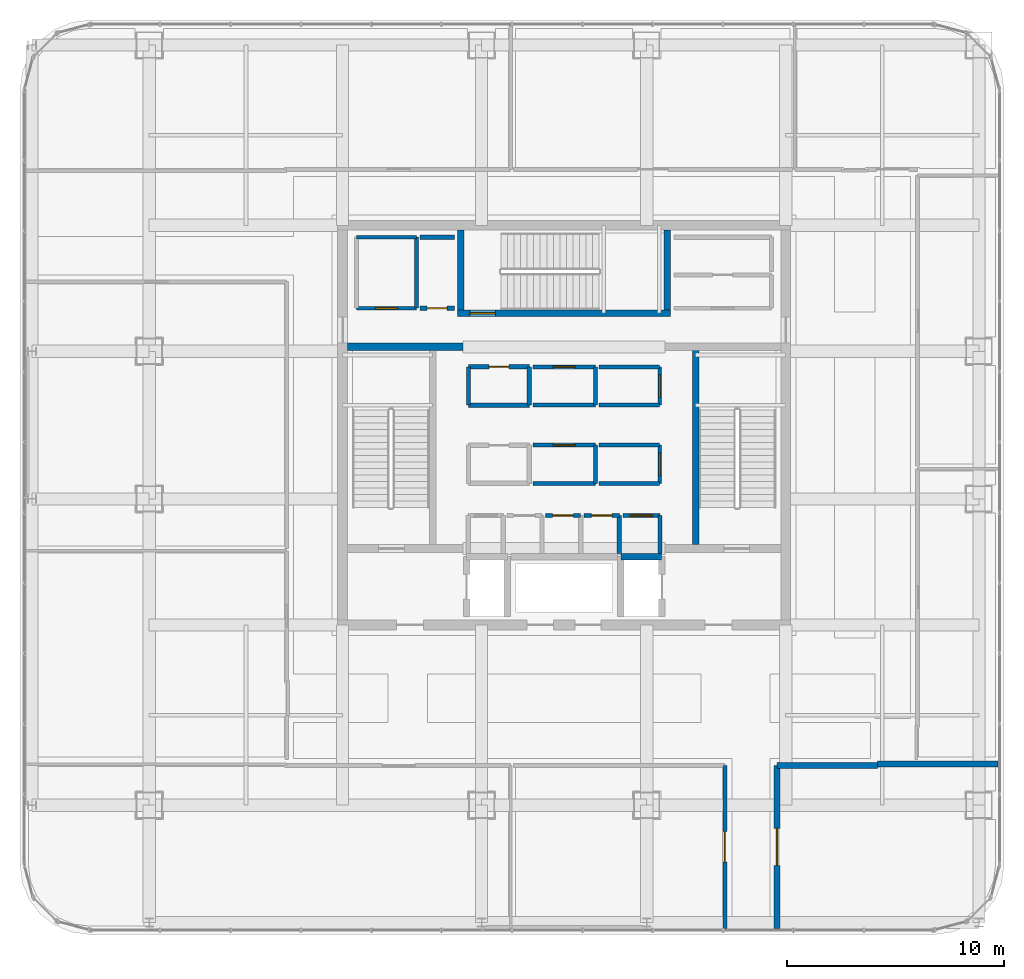
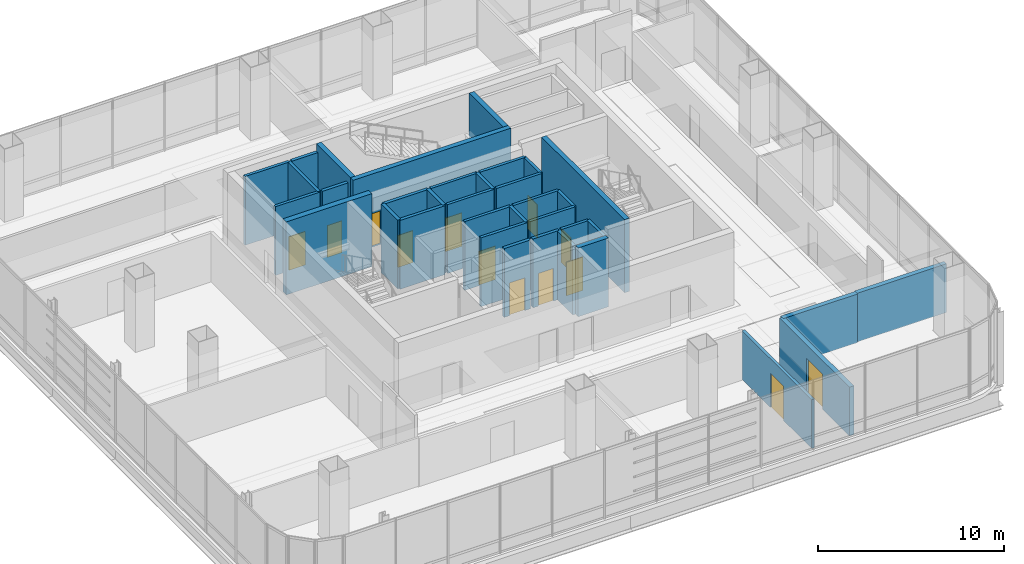
# One storey, part 37 of 45: 36 walls, 13 doors, 13 openings.
"""IFC4 building model written with IfcOpenShell, lengths in metres."""

import ifcopenshell
import ifcopenshell.guid

model = None  # the IFC model being written
_history = None  # IfcOwnerHistory: only IFC2X3 demands one
_inside = {}  # id of a spatial element -> (the spatial element, [elements in it])
_under = {}  # id of a project, library or spatial element -> (it, [spatial elements below it])
_declared = {}  # id of a project -> (the project, [libraries it declares])
_typed = {}  # id of a type object -> (the type object, [elements of that type])
_made_of = {}  # id of a material, layer set ... -> (it, [elements and type objects made of it])


def new_model(schema):
    """Start an empty IFC model of exactly this schema.

    Asked for "IFC4X3", IfcOpenShell would pick the latest addendum, in which some entities
    have other attributes; the version numbers below select the first issue.
    IFC2X3 requires an IfcOwnerHistory on every rooted entity: one is made here for all.
    """
    global model, _history
    if schema == "IFC4X3":
        model = ifcopenshell.file(schema_version=(4, 3, 0, 0))
    else:
        model = ifcopenshell.file(schema=schema)
    _inside.clear()
    _under.clear()
    _declared.clear()
    _typed.clear()
    _made_of.clear()
    _history = None
    if model.schema == "IFC2X3":
        org = make("IfcOrganization", Name="unknown")
        user = make(
            "IfcPersonAndOrganization",
            ThePerson=make("IfcPerson", FamilyName="unknown"),
            TheOrganization=org,
        )
        app = make(
            "IfcApplication",
            ApplicationDeveloper=org,
            Version="unknown",
            ApplicationFullName="unknown",
            ApplicationIdentifier="unknown",
        )
        _history = make(
            "IfcOwnerHistory",
            OwningUser=user,
            OwningApplication=app,
            ChangeAction="ADDED",
            CreationDate=0,
        )
    return model


def make(cls, **values):
    """One entity of the class cls with the attributes given. An attribute that is None is left unset."""
    return model.create_entity(
        cls, **{name: value for name, value in values.items() if value is not None}
    )


def rooted(cls, **values):
    """An entity with a GlobalId (a new one), such as an element, a storey or a relation."""
    return make(cls, GlobalId=ifcopenshell.guid.new(), OwnerHistory=_history, **values)


def si_unit(unit_type, name, prefix=None):
    """IfcSIUnit, for example si_unit("LENGTHUNIT", "METRE", prefix="MILLI")."""
    return make("IfcSIUnit", UnitType=unit_type, Prefix=prefix, Name=name)


def assignment(units):
    """IfcUnitAssignment: the units of a project."""
    return None if units is None else make("IfcUnitAssignment", Units=units)


def point(xyz):
    """IfcCartesianPoint."""
    return None if xyz is None else make("IfcCartesianPoint", Coordinates=xyz)


def direction(xyz):
    """IfcDirection."""
    return None if xyz is None else make("IfcDirection", DirectionRatios=xyz)


def frame(location, z_axis=None, x_axis=None):
    """IfcAxis2Placement3D, a coordinate frame: its origin and axes. An axis left out is left unset."""
    return make(
        "IfcAxis2Placement3D",
        Location=point(location),
        Axis=direction(z_axis),
        RefDirection=direction(x_axis),
    )


def frame_2d(location, x_axis=None):
    """IfcAxis2Placement2D, a coordinate frame in the plane: its origin and x axis."""
    return make(
        "IfcAxis2Placement2D", Location=point(location), RefDirection=direction(x_axis)
    )


def origin():
    """The frame at (0, 0, 0) with its axes left unset."""
    return frame((0.0, 0.0, 0.0))


def place(relative_to, where):
    """IfcLocalPlacement: puts the frame where relative to a parent placement (None: the world)."""
    return make(
        "IfcLocalPlacement", PlacementRelTo=relative_to, RelativePlacement=where
    )


def context(
    kind, dimensions, precision=None, world=None, true_north=None, identifier=None
):
    """IfcGeometricRepresentationContext, for example the 3D "Model" context."""
    return make(
        "IfcGeometricRepresentationContext",
        ContextIdentifier=identifier,
        ContextType=kind,
        CoordinateSpaceDimension=dimensions,
        Precision=precision,
        WorldCoordinateSystem=world,
        TrueNorth=true_north,
    )


def subcontext(parent, identifier, kind, view, scale=None):
    """IfcGeometricRepresentationSubContext, for example "Body" below "Model"."""
    return make(
        "IfcGeometricRepresentationSubContext",
        ContextIdentifier=identifier,
        ContextType=kind,
        ParentContext=parent,
        TargetScale=scale,
        TargetView=view,
    )


def project(units=None, contexts=None):
    """IfcProject with its units and contexts."""
    return rooted(
        "IfcProject",
        Name="project",
        RepresentationContexts=contexts,
        UnitsInContext=assignment(units),
    )


def spatial(cls, under=None, at=None, **own):
    """A site, building, storey or space (cls), placed at a placement, below another one or the project."""
    s = rooted(cls, ObjectPlacement=at, **own)
    if under is not None:
        _under.setdefault(under.id(), (under, []))[1].append(s)
    return s


def profile(cls, at=None, kind="AREA", **sizes):
    """A parametric profile (cls). Its sizes go by their IFC names, for example OverallWidth=200.0."""
    return make(cls, ProfileType=kind, Position=at, **sizes)


def rectangle(**sizes):
    """IfcRectangleProfileDef."""
    return profile("IfcRectangleProfileDef", **sizes)


def extrude(swept, where, along, depth):
    """IfcExtrudedAreaSolid: the profile swept, set in the frame where, extruded along a direction by depth."""
    return make(
        "IfcExtrudedAreaSolid",
        SweptArea=swept,
        Position=where,
        ExtrudedDirection=direction(along),
        Depth=depth,
    )


def shape(context_of_items, identifier, shape_type, items):
    """IfcShapeRepresentation: the items that make up one representation, for example the "Body"."""
    return make(
        "IfcShapeRepresentation",
        ContextOfItems=context_of_items,
        RepresentationIdentifier=identifier,
        RepresentationType=shape_type,
        Items=items,
    )


def material(Name=None, Category=None):
    """IfcMaterial."""
    return make("IfcMaterial", Name=Name, Category=Category)


def layer(
    of_material, thickness, ventilated=None, Name=None, Category=None, Priority=None
):
    """IfcMaterialLayer: one layer of a wall or slab, of a material (None: an air gap)."""
    return make(
        "IfcMaterialLayer",
        Material=of_material,
        LayerThickness=thickness,
        IsVentilated=ventilated,
        Name=Name,
        Category=Category,
        Priority=Priority,
    )


def layer_set(layers, Name=None):
    """IfcMaterialLayerSet."""
    return make("IfcMaterialLayerSet", MaterialLayers=layers, LayerSetName=Name)


def made_of(thing, what):
    """Note that an element or type object is made of a material, layer set ...; save() writes the relation."""
    if what is not None:
        _made_of.setdefault(what.id(), (what, []))[1].append(thing)
    return thing


def type_object(cls, material=None, **own):
    """A type object (cls), such as IfcWallType, which elements share."""
    return made_of(rooted(cls, **own), material)


def element(
    cls,
    number,
    at=None,
    inside=None,
    cuts=None,
    type_object=None,
    material=None,
    context=None,
    identifier="Body",
    shape_type=None,
    held_by="IfcProductDefinitionShape",
    body=None,
    shapes=None,
    **own,
):
    """One element of the class cls, such as IfcWall. Its Tag is "e" and its number.

    at: its placement. inside: the storey or other place that contains it. cuts: it is an
    opening in that element (IfcRelVoidsElement). A single representation is given by context,
    identifier, shape_type and body (its items); several are given by shapes. held_by: the class
    of the entity that holds the representations. save() writes the other relations.
    """
    e = rooted(cls, Tag="e%d" % number, ObjectPlacement=at, **own)
    if body is not None:
        shapes = [shape(context, identifier, shape_type, body)]
    if shapes is not None:
        e.Representation = make(held_by, Representations=shapes)
    if inside is not None:
        _inside.setdefault(inside.id(), (inside, []))[1].append(e)
    if cuts is not None:
        rooted(
            "IfcRelVoidsElement", RelatingBuildingElement=cuts, RelatedOpeningElement=e
        )
    if type_object is not None:
        _typed.setdefault(type_object.id(), (type_object, []))[1].append(e)
    return made_of(e, material)


def fill(opening, filler):
    """IfcRelFillsElement: the door or window that sits in an opening."""
    return rooted(
        "IfcRelFillsElement",
        RelatingOpeningElement=opening,
        RelatedBuildingElement=filler,
    )


def aggregate(whole, parts):
    """IfcRelAggregates: a whole, such as a stair, and the parts it consists of."""
    return rooted("IfcRelAggregates", RelatingObject=whole, RelatedObjects=parts)


def save(model, path):
    """Write the relations noted so far, then the file.

    IfcRelAggregates (storeys below a building ...), IfcRelContainedInSpatialStructure (elements
    in a storey), IfcRelDefinesByType, IfcRelAssociatesMaterial and IfcRelDeclares: one each for
    every whole, place, type object, material and project.
    """
    for whole, parts in _under.values():
        aggregate(whole, parts)
    for where, things in _inside.values():
        rooted(
            "IfcRelContainedInSpatialStructure",
            RelatedElements=things,
            RelatingStructure=where,
        )
    for kind, things in _typed.values():
        rooted("IfcRelDefinesByType", RelatedObjects=things, RelatingType=kind)
    for what, things in _made_of.values():
        rooted("IfcRelAssociatesMaterial", RelatedObjects=things, RelatingMaterial=what)
    for by, libraries in _declared.values():
        rooted("IfcRelDeclares", RelatingContext=by, RelatedDefinitions=libraries)
    model.write(path)


model = new_model("IFC4")

# Units and contexts
model_context = context("Model", 3, precision=1e-05, world=origin(), true_north=direction((0.0, 1.0)))
body_context = subcontext(model_context, "Body", "Model", "MODEL_VIEW")
ifc_project = project(units=[si_unit("LENGTHUNIT", "METRE"), si_unit("AREAUNIT", "SQUARE_METRE"), si_unit("VOLUMEUNIT", "CUBIC_METRE"), si_unit("PLANEANGLEUNIT", "RADIAN"), si_unit("MASSUNIT", "GRAM", prefix="KILO")], contexts=[model_context])

# Site, building, storey
site_placement = place(None, origin())
site = spatial("IfcSite", under=ifc_project, at=site_placement, CompositionType="ELEMENT")
building_placement = place(site_placement, origin())
building = spatial("IfcBuilding", under=site, at=building_placement, Name="Punatoya Terracotta Tower", CompositionType="ELEMENT")
storey_placement = place(building_placement, frame((0.0, 0.0, 339.0)))
storey = spatial("IfcBuildingStorey", under=building, at=storey_placement, Name="L80", CompositionType="ELEMENT", Elevation=339.0)

# Wall, opening, door
ifc_material_1 = material(Name="Concrete C40/50", Category="concrete")
ifc_layer_1 = layer(ifc_material_1, 0.280029296875)
ifc_layer_set_1 = layer_set([ifc_layer_1], Name="Concrete C40/50")
wall_type_1 = type_object("IfcWallType", Name="WL-AUD-280", PredefinedType="SOLIDWALL", material=ifc_layer_set_1)
wall_1_placement = place(storey_placement, frame((9.800048828125, -23.169921875, 0.0), z_axis=(0.0, 0.0, 1.0), x_axis=(0.0, 1.0, 0.0)))
wall_1 = element("IfcWall", 1, at=wall_1_placement, inside=storey, type_object=wall_type_1, Name="L80 Open-Plan Visitors' Sky Cafe and Bistro Partition 48", PredefinedType="SOLIDWALL", context=body_context, shape_type="SweptSolid", body=[
    extrude(rectangle(XDim=7.5, YDim=0.280029296875, at=frame_2d((3.75, 0.0))), origin(), (0.0, 0.0, 1.0), 3.194091796875),
])
opening_1_placement = place(wall_1_placement, frame((2.89990234375, 0.0, 0.0)))
opening_1 = element("IfcOpeningElement", 2, at=opening_1_placement, cuts=wall_1, Name="Opening FD-D1", PredefinedType="OPENING", context=body_context, shape_type="SweptSolid", body=[
    extrude(rectangle(XDim=1.699951171875, YDim=2.300048828125, at=frame_2d((0.85009765625, 1.14990234375))), frame((0.0, 0.14990234375, 0.0), z_axis=(0.0, -1.0, 0.0), x_axis=(1.0, 0.0, 0.0)), (0.0, 0.0, 1.0), 0.300048828125),
])
ifc_material_2 = material(Name="Timber Teak Veneer Fire Leaf", Category="wood")
door_type_1 = type_object("IfcDoorType", Name="DR-DIN-1700", OperationType="NOTDEFINED", PredefinedType="DOOR", material=ifc_material_2)
door_1_placement = place(opening_1_placement, origin())
door_1 = element("IfcDoor", 3, at=door_1_placement, inside=storey, type_object=door_type_1, Name="L80 Open-Plan Visitors' Sky Cafe and Bistro Fire Door", OperationType="DOUBLE_DOOR_SINGLE_SWING", OverallHeight=2.300048828125, OverallWidth=1.699951171875, PredefinedType="DOOR", context=body_context, shape_type="SweptSolid", body=[
    extrude(rectangle(XDim=1.699951171875, YDim=2.300048828125, at=frame_2d((0.85009765625, 1.14990234375))), frame((0.0, 0.02490234375, 0.0), z_axis=(0.0, -1.0, 0.0), x_axis=(1.0, 0.0, 0.0)), (0.0, 0.0, 1.0), 0.050048828125),
])
fill(opening_1, door_1)

# Walls
wall_2_placement = place(storey_placement, frame((9.800048828125, -15.669921875, 0.0), z_axis=(0.0, 0.0, 1.0), x_axis=(1.0, 0.0, 0.0)))
element("IfcWall", 4, at=wall_2_placement, inside=storey, type_object=wall_type_1, Name="L80 Open-Plan Visitors' Sky Cafe and Bistro Partition 49", PredefinedType="SOLIDWALL", context=body_context, shape_type="SweptSolid", body=[
    extrude(rectangle(XDim=4.619873046875, YDim=0.280029296875, at=frame_2d((2.31005859375, 0.0))), origin(), (0.0, 0.0, 1.0), 3.194091796875),
])
wall_3_placement = place(storey_placement, frame((14.419921875, -15.610107421875, 0.0), z_axis=(0.0, 0.0, 1.0), x_axis=(1.0, 0.0, 0.0)))
element("IfcWall", 5, at=wall_3_placement, inside=storey, type_object=wall_type_1, Name="L80 Open-Plan Visitors' Sky Cafe and Bistro Partition 50", PredefinedType="SOLIDWALL", context=body_context, shape_type="SweptSolid", body=[
    extrude(rectangle(XDim=5.550048828125, YDim=0.280029296875, at=frame_2d((2.77490234375, 0.0))), origin(), (0.0, 0.0, 1.0), 3.194091796875),
])
ifc_material_3 = material(Name="Gypsum Fireboard + Steel Stud", Category="steel")
ifc_layer_2 = layer(ifc_material_3, 0.179931640625)
ifc_layer_set_2 = layer_set([ifc_layer_2], Name="Gypsum Fireboard + Steel Stud")
wall_type_2 = type_object("IfcWallType", Name="WL-CORR-180", PredefinedType="PARTITIONING", material=ifc_layer_set_2)
wall_4_placement = place(storey_placement, frame((4.419921875, -5.89990234375, 0.0), z_axis=(0.0, 0.0, 1.0), x_axis=(0.0, 1.0, 0.0)))
element("IfcWall", 6, at=wall_4_placement, inside=storey, type_object=wall_type_2, Name="L80 Core Focus Booth Partition 10", PredefinedType="PARTITIONING", context=body_context, shape_type="SweptSolid", body=[
    extrude(rectangle(XDim=1.739990234375, YDim=0.179931640625, at=frame_2d((0.8701171875, 0.0))), origin(), (0.0, 0.0, 1.0), 4.52001953125),
])

# Wall, opening, door
wall_5_placement = place(storey_placement, frame((4.419921875, -4.159912109375, 0.0), z_axis=(0.0, 0.0, 1.0), x_axis=(-1.0, 0.0, 0.0)))
wall_5 = element("IfcWall", 7, at=wall_5_placement, inside=storey, type_object=wall_type_2, Name="L80 Core Focus Booth Partition 11", PredefinedType="PARTITIONING", context=body_context, shape_type="SweptSolid", body=[
    extrude(rectangle(XDim=1.719970703125, YDim=0.179931640625, at=frame_2d((0.85986328125, 0.0))), origin(), (0.0, 0.0, 1.0), 4.52001953125),
])
opening_2_placement = place(wall_5_placement, frame((0.35009765625, 0.0, 0.0)))
opening_2 = element("IfcOpeningElement", 8, at=opening_2_placement, cuts=wall_5, Name="Opening MD-01", PredefinedType="OPENING", context=body_context, shape_type="SweptSolid", body=[
    extrude(rectangle(XDim=1.02001953125, YDim=2.199951171875, at=frame_2d((0.510009765625, 1.10009765625))), frame((0.0, 0.099853515625, 0.0), z_axis=(0.0, -1.0, 0.0), x_axis=(1.0, 0.0, 0.0)), (0.0, 0.0, 1.0), 0.199951171875),
])
ifc_material_4 = material(Name="Aluminium + Acoustic Glass Leaf", Category="aluminium")
door_type_2 = type_object("IfcDoorType", Name="DR-MTG-1020", OperationType="NOTDEFINED", PredefinedType="DOOR", material=ifc_material_4)
door_2_placement = place(opening_2_placement, origin())
door_2 = element("IfcDoor", 9, at=door_2_placement, inside=storey, type_object=door_type_2, Name="L80 Focus Booth Door", OperationType="SINGLE_SWING_RIGHT", OverallHeight=2.199951171875, OverallWidth=1.02001953125, PredefinedType="DOOR", context=body_context, shape_type="SweptSolid", body=[
    extrude(rectangle(XDim=1.02001953125, YDim=2.199951171875, at=frame_2d((0.510009765625, 1.10009765625))), frame((0.0, 0.02490234375, 0.0), z_axis=(0.0, -1.0, 0.0), x_axis=(1.0, 0.0, 0.0)), (0.0, 0.0, 1.0), 0.050048828125),
])
fill(opening_2, door_2)

# Wall
wall_6_placement = place(storey_placement, frame((1.43994140625, -2.679931640625, 0.0), z_axis=(0.0, 0.0, 1.0), x_axis=(0.0, 1.0, 0.0)))
element("IfcWall", 10, at=wall_6_placement, inside=storey, type_object=wall_type_2, Name="L80 Center Core Briefing Pod Partition 16", PredefinedType="PARTITIONING", context=body_context, shape_type="SweptSolid", body=[
    extrude(rectangle(XDim=1.760009765625, YDim=0.179931640625, at=frame_2d((0.8798828125, 0.0))), origin(), (0.0, 0.0, 1.0), 4.52001953125),
])

# Wall, opening, door
wall_7_placement = place(storey_placement, frame((1.43994140625, -0.919921875, 0.0), z_axis=(0.0, 0.0, 1.0), x_axis=(-1.0, 0.0, 0.0)))
wall_7 = element("IfcWall", 11, at=wall_7_placement, inside=storey, type_object=wall_type_2, Name="L80 Center Core Briefing Pod Partition 17", PredefinedType="PARTITIONING", context=body_context, shape_type="SweptSolid", body=[
    extrude(rectangle(XDim=2.8798828125, YDim=0.179931640625, at=frame_2d((1.43994140625, 0.0))), origin(), (0.0, 0.0, 1.0), 4.52001953125),
])
opening_3_placement = place(wall_7_placement, frame((0.929931640625, 0.0, 0.0)))
opening_3 = element("IfcOpeningElement", 12, at=opening_3_placement, cuts=wall_7, Name="Opening MD-01", PredefinedType="OPENING", context=body_context, shape_type="SweptSolid", body=[
    extrude(rectangle(XDim=1.02001953125, YDim=2.199951171875, at=frame_2d((0.510009765625, 1.10009765625))), frame((0.0, 0.099853515625, 0.0), z_axis=(0.0, -1.0, 0.0), x_axis=(1.0, 0.0, 0.0)), (0.0, 0.0, 1.0), 0.199951171875),
])
door_3_placement = place(opening_3_placement, origin())
door_3 = element("IfcDoor", 13, at=door_3_placement, inside=storey, type_object=door_type_2, Name="L80 Center Briefing Pod Door", OperationType="SINGLE_SWING_RIGHT", OverallHeight=2.199951171875, OverallWidth=1.02001953125, PredefinedType="DOOR", context=body_context, shape_type="SweptSolid", body=[
    extrude(rectangle(XDim=1.02001953125, YDim=2.199951171875, at=frame_2d((0.510009765625, 1.10009765625))), frame((0.0, 0.02490234375, 0.0), z_axis=(0.0, -1.0, 0.0), x_axis=(1.0, 0.0, 0.0)), (0.0, 0.0, 1.0), 0.050048828125),
])
fill(opening_3, door_3)

# Wall
wall_8_placement = place(storey_placement, frame((-1.43994140625, -2.679931640625, 0.0), z_axis=(0.0, 0.0, 1.0), x_axis=(1.0, 0.0, 0.0)))
element("IfcWall", 14, at=wall_8_placement, inside=storey, type_object=wall_type_2, Name="L80 Center Core Briefing Pod Partition 18", PredefinedType="PARTITIONING", context=body_context, shape_type="SweptSolid", body=[
    extrude(rectangle(XDim=2.8798828125, YDim=0.179931640625, at=frame_2d((1.43994140625, 0.0))), origin(), (0.0, 0.0, 1.0), 4.52001953125),
])

# Wall, opening, door
wall_9_placement = place(storey_placement, frame((4.39990234375, -2.679931640625, 0.0), z_axis=(0.0, 0.0, 1.0), x_axis=(0.0, 1.0, 0.0)))
wall_9 = element("IfcWall", 15, at=wall_9_placement, inside=storey, type_object=wall_type_2, Name="L80 Right Core Copy Room Partition 19", PredefinedType="PARTITIONING", context=body_context, shape_type="SweptSolid", body=[
    extrude(rectangle(XDim=1.760009765625, YDim=0.179931640625, at=frame_2d((0.8798828125, 0.0))), origin(), (0.0, 0.0, 1.0), 4.52001953125),
])
opening_4_placement = place(wall_9_placement, frame((0.35498046875, 0.0, 0.0)))
opening_4 = element("IfcOpeningElement", 16, at=opening_4_placement, cuts=wall_9, Name="Opening OD-01", PredefinedType="OPENING", context=body_context, shape_type="SweptSolid", body=[
    extrude(rectangle(XDim=1.050048828125, YDim=2.199951171875, at=frame_2d((0.52490234375, 1.10009765625))), frame((0.0, 0.099853515625, 0.0), z_axis=(0.0, -1.0, 0.0), x_axis=(1.0, 0.0, 0.0)), (0.0, 0.0, 1.0), 0.199951171875),
])
ifc_material_5 = material(Name="Bengal Teak Solid-Core Leaf")
door_type_3 = type_object("IfcDoorType", Name="DR-OFF-1050", OperationType="NOTDEFINED", PredefinedType="DOOR", material=ifc_material_5)
door_4_placement = place(opening_4_placement, origin())
door_4 = element("IfcDoor", 17, at=door_4_placement, inside=storey, type_object=door_type_3, Name="L80 Right Copy Room Door", OperationType="SINGLE_SWING_LEFT", OverallHeight=2.199951171875, OverallWidth=1.050048828125, PredefinedType="DOOR", context=body_context, shape_type="SweptSolid", body=[
    extrude(rectangle(XDim=1.050048828125, YDim=2.199951171875, at=frame_2d((0.52490234375, 1.10009765625))), frame((0.0, 0.02490234375, 0.0), z_axis=(0.0, -1.0, 0.0), x_axis=(1.0, 0.0, 0.0)), (0.0, 0.0, 1.0), 0.050048828125),
])
fill(opening_4, door_4)

# Walls
for number, where, z_axis, x_axis, name in (
    (18, (4.39990234375, -0.919921875, 0.0), (0.0, 0.0, 1.0), (-1.0, 0.0, 0.0), "L80 Right Core Copy Room Partition 20"),
    (19, (1.60009765625, -2.679931640625, 0.0), (0.0, 0.0, 1.0), (1.0, 0.0, 0.0), "L80 Right Core Copy Room Partition 21"),
):
    element("IfcWall", number, at=place(storey_placement, frame(where, z_axis=z_axis, x_axis=x_axis)), inside=storey, type_object=wall_type_2, Name=name, PredefinedType="PARTITIONING", context=body_context, shape_type="SweptSolid", body=[
        extrude(rectangle(XDim=2.7998046875, YDim=0.179931640625, at=frame_2d((1.39990234375, 0.0))), origin(), (0.0, 0.0, 1.0), 4.52001953125),
    ])
wall_10_placement = place(storey_placement, frame((1.43994140625, 0.919921875, 0.0), z_axis=(0.0, 0.0, 1.0), x_axis=(0.0, 1.0, 0.0)))
element("IfcWall", 20, at=wall_10_placement, inside=storey, type_object=wall_type_2, Name="L80 Center Core Briefing Pod Partition 26", PredefinedType="PARTITIONING", context=body_context, shape_type="SweptSolid", body=[
    extrude(rectangle(XDim=1.760009765625, YDim=0.179931640625, at=frame_2d((0.8798828125, 0.0))), origin(), (0.0, 0.0, 1.0), 4.52001953125),
])

# Wall, opening, door
wall_11_placement = place(storey_placement, frame((1.43994140625, 2.679931640625, 0.0), z_axis=(0.0, 0.0, 1.0), x_axis=(-1.0, 0.0, 0.0)))
wall_11 = element("IfcWall", 21, at=wall_11_placement, inside=storey, type_object=wall_type_2, Name="L80 Center Core Briefing Pod Partition 27", PredefinedType="PARTITIONING", context=body_context, shape_type="SweptSolid", body=[
    extrude(rectangle(XDim=2.8798828125, YDim=0.179931640625, at=frame_2d((1.43994140625, 0.0))), origin(), (0.0, 0.0, 1.0), 4.52001953125),
])
opening_5_placement = place(wall_11_placement, frame((0.929931640625, 0.0, 0.0)))
opening_5 = element("IfcOpeningElement", 22, at=opening_5_placement, cuts=wall_11, Name="Opening MD-01", PredefinedType="OPENING", context=body_context, shape_type="SweptSolid", body=[
    extrude(rectangle(XDim=1.02001953125, YDim=2.199951171875, at=frame_2d((0.510009765625, 1.10009765625))), frame((0.0, 0.099853515625, 0.0), z_axis=(0.0, -1.0, 0.0), x_axis=(1.0, 0.0, 0.0)), (0.0, 0.0, 1.0), 0.199951171875),
])
door_5_placement = place(opening_5_placement, origin())
door_5 = element("IfcDoor", 23, at=door_5_placement, inside=storey, type_object=door_type_2, Name="L80 Center Briefing Pod Door", OperationType="SINGLE_SWING_LEFT", OverallHeight=2.199951171875, OverallWidth=1.02001953125, PredefinedType="DOOR", context=body_context, shape_type="SweptSolid", body=[
    extrude(rectangle(XDim=1.02001953125, YDim=2.199951171875, at=frame_2d((0.510009765625, 1.10009765625))), frame((0.0, 0.02490234375, 0.0), z_axis=(0.0, -1.0, 0.0), x_axis=(1.0, 0.0, 0.0)), (0.0, 0.0, 1.0), 0.050048828125),
])
fill(opening_5, door_5)

# Wall
wall_12_placement = place(storey_placement, frame((-1.43994140625, 0.919921875, 0.0), z_axis=(0.0, 0.0, 1.0), x_axis=(1.0, 0.0, 0.0)))
element("IfcWall", 24, at=wall_12_placement, inside=storey, type_object=wall_type_2, Name="L80 Center Core Briefing Pod Partition 28", PredefinedType="PARTITIONING", context=body_context, shape_type="SweptSolid", body=[
    extrude(rectangle(XDim=2.8798828125, YDim=0.179931640625, at=frame_2d((1.43994140625, 0.0))), origin(), (0.0, 0.0, 1.0), 4.52001953125),
])

# Wall, opening, door
wall_13_placement = place(storey_placement, frame((4.39990234375, 0.919921875, 0.0), z_axis=(0.0, 0.0, 1.0), x_axis=(0.0, 1.0, 0.0)))
wall_13 = element("IfcWall", 25, at=wall_13_placement, inside=storey, type_object=wall_type_2, Name="L80 Right Core Copy Room Partition 29", PredefinedType="PARTITIONING", context=body_context, shape_type="SweptSolid", body=[
    extrude(rectangle(XDim=1.760009765625, YDim=0.179931640625, at=frame_2d((0.8798828125, 0.0))), origin(), (0.0, 0.0, 1.0), 4.52001953125),
])
opening_6_placement = place(wall_13_placement, frame((0.35498046875, 0.0, 0.0)))
opening_6 = element("IfcOpeningElement", 26, at=opening_6_placement, cuts=wall_13, Name="Opening OD-01", PredefinedType="OPENING", context=body_context, shape_type="SweptSolid", body=[
    extrude(rectangle(XDim=1.050048828125, YDim=2.199951171875, at=frame_2d((0.52490234375, 1.10009765625))), frame((0.0, 0.099853515625, 0.0), z_axis=(0.0, -1.0, 0.0), x_axis=(1.0, 0.0, 0.0)), (0.0, 0.0, 1.0), 0.199951171875),
])
door_6_placement = place(opening_6_placement, origin())
door_6 = element("IfcDoor", 27, at=door_6_placement, inside=storey, type_object=door_type_3, Name="L80 Right Copy Room Door", OperationType="SINGLE_SWING_RIGHT", OverallHeight=2.199951171875, OverallWidth=1.050048828125, PredefinedType="DOOR", context=body_context, shape_type="SweptSolid", body=[
    extrude(rectangle(XDim=1.050048828125, YDim=2.199951171875, at=frame_2d((0.52490234375, 1.10009765625))), frame((0.0, 0.02490234375, 0.0), z_axis=(0.0, -1.0, 0.0), x_axis=(1.0, 0.0, 0.0)), (0.0, 0.0, 1.0), 0.050048828125),
])
fill(opening_6, door_6)

# Walls
for number, where, z_axis, x_axis, name in (
    (28, (4.39990234375, 2.679931640625, 0.0), (0.0, 0.0, 1.0), (-1.0, 0.0, 0.0), "L80 Right Core Copy Room Partition 30"),
    (29, (1.60009765625, 0.919921875, 0.0), (0.0, 0.0, 1.0), (1.0, 0.0, 0.0), "L80 Right Core Copy Room Partition 31"),
):
    element("IfcWall", number, at=place(storey_placement, frame(where, z_axis=z_axis, x_axis=x_axis)), inside=storey, type_object=wall_type_2, Name=name, PredefinedType="PARTITIONING", context=body_context, shape_type="SweptSolid", body=[
        extrude(rectangle(XDim=2.7998046875, YDim=0.179931640625, at=frame_2d((1.39990234375, 0.0))), origin(), (0.0, 0.0, 1.0), 4.52001953125),
    ])
wall_14_placement = place(storey_placement, frame((-6.800048828125, 5.3798828125, 0.0), z_axis=(0.0, 0.0, 1.0), x_axis=(0.0, 1.0, 0.0)))
element("IfcWall", 30, at=wall_14_placement, inside=storey, type_object=wall_type_2, Name="L80 West Core Briefing Pod Partition 32", PredefinedType="PARTITIONING", context=body_context, shape_type="SweptSolid", body=[
    extrude(rectangle(XDim=3.27001953125, YDim=0.179931640625, at=frame_2d((1.635009765625, 0.0))), origin(), (0.0, 0.0, 1.0), 4.52001953125),
])
wall_15_placement = place(storey_placement, frame((-6.800048828125, 8.64990234375, 0.0), z_axis=(0.0, 0.0, 1.0), x_axis=(-1.0, 0.0, 0.0)))
element("IfcWall", 31, at=wall_15_placement, inside=storey, type_object=wall_type_2, Name="L80 West Core Briefing Pod Partition 33", PredefinedType="PARTITIONING", context=body_context, shape_type="SweptSolid", body=[
    extrude(rectangle(XDim=2.75, YDim=0.179931640625, at=frame_2d((1.375, 0.0))), origin(), (0.0, 0.0, 1.0), 4.52001953125),
])

# Wall, opening, door
wall_16_placement = place(storey_placement, frame((-9.550048828125, 5.3798828125, 0.0), z_axis=(0.0, 0.0, 1.0), x_axis=(1.0, 0.0, 0.0)))
wall_16 = element("IfcWall", 32, at=wall_16_placement, inside=storey, type_object=wall_type_2, Name="L80 West Core Briefing Pod Partition 35", PredefinedType="PARTITIONING", context=body_context, shape_type="SweptSolid", body=[
    extrude(rectangle(XDim=2.75, YDim=0.179931640625, at=frame_2d((1.375, 0.0))), origin(), (0.0, 0.0, 1.0), 4.52001953125),
])
opening_7_placement = place(wall_16_placement, frame((0.864990234375, 0.0, 0.0)))
opening_7 = element("IfcOpeningElement", 33, at=opening_7_placement, cuts=wall_16, Name="Opening MD-01", PredefinedType="OPENING", context=body_context, shape_type="SweptSolid", body=[
    extrude(rectangle(XDim=1.02001953125, YDim=2.199951171875, at=frame_2d((0.510009765625, 1.10009765625))), frame((0.0, 0.099853515625, 0.0), z_axis=(0.0, -1.0, 0.0), x_axis=(1.0, 0.0, 0.0)), (0.0, 0.0, 1.0), 0.199951171875),
])
door_7_placement = place(opening_7_placement, origin())
door_7 = element("IfcDoor", 34, at=door_7_placement, inside=storey, type_object=door_type_2, Name="L80 West Briefing Pod Door", OperationType="SINGLE_SWING_LEFT", OverallHeight=2.199951171875, OverallWidth=1.02001953125, PredefinedType="DOOR", context=body_context, shape_type="SweptSolid", body=[
    extrude(rectangle(XDim=1.02001953125, YDim=2.199951171875, at=frame_2d((0.510009765625, 1.10009765625))), frame((0.0, 0.02490234375, 0.0), z_axis=(0.0, -1.0, 0.0), x_axis=(1.0, 0.0, 0.0)), (0.0, 0.0, 1.0), 0.050048828125),
])
fill(opening_7, door_7)

wall_17_placement = place(storey_placement, frame((7.39990234375, -15.669921875, 0.0), z_axis=(0.0, 0.0, 1.0), x_axis=(0.0, -1.0, 0.0)))
wall_17 = element("IfcWall", 35, at=wall_17_placement, inside=storey, type_object=wall_type_2, Name="L80 Open-Plan Heritage Collections Curatorial Study Partition 46", PredefinedType="PARTITIONING", context=body_context, shape_type="SweptSolid", body=[
    extrude(rectangle(XDim=7.5, YDim=0.179931640625, at=frame_2d((3.75, 0.0))), origin(), (0.0, 0.0, 1.0), 3.194091796875),
])
opening_8_placement = place(wall_17_placement, frame((3.050048828125, 0.0, 0.0)))
opening_8 = element("IfcOpeningElement", 36, at=opening_8_placement, cuts=wall_17, Name="Opening BD-01", PredefinedType="OPENING", context=body_context, shape_type="SweptSolid", body=[
    extrude(rectangle(XDim=1.39990234375, YDim=2.25, at=frame_2d((0.699951171875, 1.125))), frame((0.0, 0.099853515625, 0.0), z_axis=(0.0, -1.0, 0.0), x_axis=(1.0, 0.0, 0.0)), (0.0, 0.0, 1.0), 0.199951171875),
])
ifc_material_6 = material(Name="Bengal Teak Acoustic Leaf")
door_type_4 = type_object("IfcDoorType", Name="DR-BRD-1400", OperationType="NOTDEFINED", PredefinedType="DOOR", material=ifc_material_6)
door_8_placement = place(opening_8_placement, origin())
door_8 = element("IfcDoor", 37, at=door_8_placement, inside=storey, type_object=door_type_4, Name="L80 Open-Plan Heritage Collections Curatorial Study Door", OperationType="SINGLE_SWING_RIGHT", OverallHeight=2.25, OverallWidth=1.39990234375, PredefinedType="DOOR", context=body_context, shape_type="SweptSolid", body=[
    extrude(rectangle(XDim=1.39990234375, YDim=2.25, at=frame_2d((0.699951171875, 1.125))), frame((0.0, 0.02490234375, 0.0), z_axis=(0.0, -1.0, 0.0), x_axis=(1.0, 0.0, 0.0)), (0.0, 0.0, 1.0), 0.050048828125),
])
fill(opening_8, door_8)

ifc_layer_3 = layer(ifc_material_1, 0.199951171875)
ifc_layer_set_3 = layer_set([ifc_layer_3], Name="Concrete C40/50")
wall_type_3 = type_object("IfcWallType", Name="WL-INT-200", PredefinedType="SOLIDWALL", material=ifc_layer_set_3)
wall_18_placement = place(storey_placement, frame((0.760009765625, -4.159912109375, 0.0), z_axis=(0.0, 0.0, 1.0), x_axis=(-1.0, 0.0, 0.0)))
wall_18 = element("IfcWall", 38, at=wall_18_placement, inside=storey, type_object=wall_type_3, Name="L80 Female Washroom Partition 07", PredefinedType="SOLIDWALL", context=body_context, shape_type="SweptSolid", body=[
    extrude(rectangle(XDim=1.6201171875, YDim=0.199951171875, at=frame_2d((0.81005859375, 0.0))), origin(), (0.0, 0.0, 1.0), 4.52001953125),
])
opening_9_placement = place(wall_18_placement, frame((0.3349609375, 0.0, 0.0)))
opening_9 = element("IfcOpeningElement", 39, at=opening_9_placement, cuts=wall_18, Name="Opening WD-01", PredefinedType="OPENING", context=body_context, shape_type="SweptSolid", body=[
    extrude(rectangle(XDim=0.949951171875, YDim=2.14990234375, at=frame_2d((0.47509765625, 1.074951171875))), frame((0.0, 0.10986328125, 0.0), z_axis=(0.0, -1.0, 0.0), x_axis=(1.0, 0.0, 0.0)), (0.0, 0.0, 1.0), 0.219970703125),
])
ifc_material_7 = material(Name="Moisture-Resistant Laminate Timber Leaf", Category="wood")
door_type_5 = type_object("IfcDoorType", Name="DR-WC-950", OperationType="NOTDEFINED", PredefinedType="DOOR", material=ifc_material_7)
door_9_placement = place(opening_9_placement, origin())
door_9 = element("IfcDoor", 40, at=door_9_placement, inside=storey, type_object=door_type_5, Name="L80 Female Washroom Door", OperationType="SINGLE_SWING_RIGHT", OverallHeight=2.14990234375, OverallWidth=0.949951171875, PredefinedType="DOOR", context=body_context, shape_type="SweptSolid", body=[
    extrude(rectangle(XDim=0.949951171875, YDim=2.14990234375, at=frame_2d((0.47509765625, 1.074951171875))), frame((0.0, 0.02490234375, 0.0), z_axis=(0.0, -1.0, 0.0), x_axis=(1.0, 0.0, 0.0)), (0.0, 0.0, 1.0), 0.050048828125),
])
fill(opening_9, door_9)

# Wall
wall_19_placement = place(storey_placement, frame((2.5400390625, -5.89990234375, 0.0), z_axis=(0.0, 0.0, 1.0), x_axis=(0.0, 1.0, 0.0)))
element("IfcWall", 41, at=wall_19_placement, inside=storey, type_object=wall_type_3, Name="L80 Male Washroom Partition 08", PredefinedType="SOLIDWALL", context=body_context, shape_type="SweptSolid", body=[
    extrude(rectangle(XDim=1.739990234375, YDim=0.199951171875, at=frame_2d((0.8701171875, 0.0))), origin(), (0.0, 0.0, 1.0), 4.52001953125),
])

# Wall, opening, door
wall_20_placement = place(storey_placement, frame((2.5400390625, -4.159912109375, 0.0), z_axis=(0.0, 0.0, 1.0), x_axis=(-1.0, 0.0, 0.0)))
wall_20 = element("IfcWall", 42, at=wall_20_placement, inside=storey, type_object=wall_type_3, Name="L80 Male Washroom Partition 09", PredefinedType="SOLIDWALL", context=body_context, shape_type="SweptSolid", body=[
    extrude(rectangle(XDim=1.6201171875, YDim=0.199951171875, at=frame_2d((0.81005859375, 0.0))), origin(), (0.0, 0.0, 1.0), 4.52001953125),
])
opening_10_placement = place(wall_20_placement, frame((0.3349609375, 0.0, 0.0)))
opening_10 = element("IfcOpeningElement", 43, at=opening_10_placement, cuts=wall_20, Name="Opening WD-01", PredefinedType="OPENING", context=body_context, shape_type="SweptSolid", body=[
    extrude(rectangle(XDim=0.949951171875, YDim=2.14990234375, at=frame_2d((0.47509765625, 1.074951171875))), frame((0.0, 0.10986328125, 0.0), z_axis=(0.0, -1.0, 0.0), x_axis=(1.0, 0.0, 0.0)), (0.0, 0.0, 1.0), 0.219970703125),
])
door_10_placement = place(opening_10_placement, origin())
door_10 = element("IfcDoor", 44, at=door_10_placement, inside=storey, type_object=door_type_5, Name="L80 Male Washroom Door", OperationType="SINGLE_SWING_LEFT", OverallHeight=2.14990234375, OverallWidth=0.949951171875, PredefinedType="DOOR", context=body_context, shape_type="SweptSolid", body=[
    extrude(rectangle(XDim=0.949951171875, YDim=2.14990234375, at=frame_2d((0.47509765625, 1.074951171875))), frame((0.0, 0.02490234375, 0.0), z_axis=(0.0, -1.0, 0.0), x_axis=(1.0, 0.0, 0.0)), (0.0, 0.0, 1.0), 0.050048828125),
])
fill(opening_10, door_10)

# Wall
wall_21_placement = place(storey_placement, frame((-1.60009765625, 0.919921875, 0.0), z_axis=(0.0, 0.0, 1.0), x_axis=(0.0, 1.0, 0.0)))
element("IfcWall", 45, at=wall_21_placement, inside=storey, type_object=wall_type_3, Name="L80 Left Core Store Partition 22", PredefinedType="SOLIDWALL", context=body_context, shape_type="SweptSolid", body=[
    extrude(rectangle(XDim=1.760009765625, YDim=0.199951171875, at=frame_2d((0.8798828125, 0.0))), origin(), (0.0, 0.0, 1.0), 4.52001953125),
])

# Wall, opening, door
wall_22_placement = place(storey_placement, frame((-1.60009765625, 2.679931640625, 0.0), z_axis=(0.0, 0.0, 1.0), x_axis=(-1.0, 0.0, 0.0)))
wall_22 = element("IfcWall", 46, at=wall_22_placement, inside=storey, type_object=wall_type_3, Name="L80 Left Core Store Partition 23", PredefinedType="SOLIDWALL", context=body_context, shape_type="SweptSolid", body=[
    extrude(rectangle(XDim=2.7998046875, YDim=0.199951171875, at=frame_2d((1.39990234375, 0.0))), origin(), (0.0, 0.0, 1.0), 4.52001953125),
])
opening_11_placement = place(wall_22_placement, frame((0.93994140625, 0.0, 0.0)))
opening_11 = element("IfcOpeningElement", 47, at=opening_11_placement, cuts=wall_22, Name="Opening FD-R1", PredefinedType="OPENING", context=body_context, shape_type="SweptSolid", body=[
    extrude(rectangle(XDim=0.919921875, YDim=2.10009765625, at=frame_2d((0.4599609375, 1.050048828125))), frame((0.0, 0.10986328125, 0.0), z_axis=(0.0, -1.0, 0.0), x_axis=(1.0, 0.0, 0.0)), (0.0, 0.0, 1.0), 0.219970703125),
])
ifc_material_8 = material(Name="Galvanised Steel Riser Fire Access Door", Category="steel")
door_type_6 = type_object("IfcDoorType", Name="DR-RSR-920", OperationType="NOTDEFINED", PredefinedType="DOOR", material=ifc_material_8)
door_11_placement = place(opening_11_placement, origin())
door_11 = element("IfcDoor", 48, at=door_11_placement, inside=storey, type_object=door_type_6, Name="L80 Left Core Store Fire Door", OperationType="SINGLE_SWING_RIGHT", OverallHeight=2.10009765625, OverallWidth=0.919921875, PredefinedType="DOOR", context=body_context, shape_type="SweptSolid", body=[
    extrude(rectangle(XDim=0.919921875, YDim=2.10009765625, at=frame_2d((0.4599609375, 1.050048828125))), frame((0.0, 0.02490234375, 0.0), z_axis=(0.0, -1.0, 0.0), x_axis=(1.0, 0.0, 0.0)), (0.0, 0.0, 1.0), 0.050048828125),
])
fill(opening_11, door_11)

# Walls
wall_23_placement = place(storey_placement, frame((-4.39990234375, 2.679931640625, 0.0), z_axis=(0.0, 0.0, 1.0), x_axis=(0.0, -1.0, 0.0)))
element("IfcWall", 49, at=wall_23_placement, inside=storey, type_object=wall_type_3, Name="L80 Left Core Store Partition 24", PredefinedType="SOLIDWALL", context=body_context, shape_type="SweptSolid", body=[
    extrude(rectangle(XDim=1.760009765625, YDim=0.199951171875, at=frame_2d((0.8798828125, 0.0))), origin(), (0.0, 0.0, 1.0), 4.52001953125),
])
wall_24_placement = place(storey_placement, frame((-4.39990234375, 0.919921875, 0.0), z_axis=(0.0, 0.0, 1.0), x_axis=(1.0, 0.0, 0.0)))
element("IfcWall", 50, at=wall_24_placement, inside=storey, type_object=wall_type_3, Name="L80 Left Core Store Partition 25", PredefinedType="SOLIDWALL", context=body_context, shape_type="SweptSolid", body=[
    extrude(rectangle(XDim=2.7998046875, YDim=0.199951171875, at=frame_2d((1.39990234375, 0.0))), origin(), (0.0, 0.0, 1.0), 4.52001953125),
])
wall_25_placement = place(storey_placement, frame((-5.050048828125, 8.64990234375, 0.0), z_axis=(0.0, 0.0, 1.0), x_axis=(-1.0, 0.0, 0.0)))
element("IfcWall", 51, at=wall_25_placement, inside=storey, type_object=wall_type_3, Name="L80 West Core Supply Store Partition 36", PredefinedType="SOLIDWALL", context=body_context, shape_type="SweptSolid", body=[
    extrude(rectangle(XDim=1.58984375, YDim=0.199951171875, at=frame_2d((0.794921875, 0.0))), origin(), (0.0, 0.0, 1.0), 4.52001953125),
])

# Wall, opening, door
wall_26_placement = place(storey_placement, frame((-6.639892578125, 5.3798828125, 0.0), z_axis=(0.0, 0.0, 1.0), x_axis=(1.0, 0.0, 0.0)))
wall_26 = element("IfcWall", 52, at=wall_26_placement, inside=storey, type_object=wall_type_3, Name="L80 West Core Supply Store Partition 37", PredefinedType="SOLIDWALL", context=body_context, shape_type="SweptSolid", body=[
    extrude(rectangle(XDim=1.58984375, YDim=0.199951171875, at=frame_2d((0.794921875, 0.0))), origin(), (0.0, 0.0, 1.0), 4.52001953125),
])
opening_12_placement = place(wall_26_placement, frame((0.3349609375, 0.0, 0.0)))
opening_12 = element("IfcOpeningElement", 53, at=opening_12_placement, cuts=wall_26, Name="Opening FD-R1", PredefinedType="OPENING", context=body_context, shape_type="SweptSolid", body=[
    extrude(rectangle(XDim=0.919921875, YDim=2.10009765625, at=frame_2d((0.4599609375, 1.050048828125))), frame((0.0, 0.10986328125, 0.0), z_axis=(0.0, -1.0, 0.0), x_axis=(1.0, 0.0, 0.0)), (0.0, 0.0, 1.0), 0.219970703125),
])
door_12_placement = place(opening_12_placement, origin())
door_12 = element("IfcDoor", 54, at=door_12_placement, inside=storey, type_object=door_type_6, Name="L80 West Core Supply Store Fire Door", OperationType="SINGLE_SWING_RIGHT", OverallHeight=2.10009765625, OverallWidth=0.919921875, PredefinedType="DOOR", context=body_context, shape_type="SweptSolid", body=[
    extrude(rectangle(XDim=0.919921875, YDim=2.10009765625, at=frame_2d((0.4599609375, 1.050048828125))), frame((0.0, 0.02490234375, 0.0), z_axis=(0.0, -1.0, 0.0), x_axis=(1.0, 0.0, 0.0)), (0.0, 0.0, 1.0), 0.050048828125),
])
fill(opening_12, door_12)

# Walls
ifc_layer_4 = layer(ifc_material_1, 0.300048828125)
ifc_layer_set_4 = layer_set([ifc_layer_4], Name="Concrete C40/50")
wall_type_4 = type_object("IfcWallType", Name="WL-SHF-300", PredefinedType="SOLIDWALL", material=ifc_layer_set_4)
wall_27_placement = place(storey_placement, frame((6.050048828125, 3.449951171875, 0.0), z_axis=(0.0, 0.0, 1.0), x_axis=(0.0, -1.0, 0.0)))
element("IfcWall", 55, at=wall_27_placement, inside=storey, type_object=wall_type_4, Name="L80 Structural Stair Shaft Wall SW-ST2-W", PredefinedType="SOLIDWALL", context=body_context, shape_type="SweptSolid", body=[
    extrude(rectangle(XDim=8.949951171875, YDim=0.300048828125, at=frame_2d((4.47509765625, 0.0))), origin(), (0.0, 0.0, 1.0), 4.800048828125),
])
for number, where, z_axis, x_axis, name in (
    (56, (-4.75, 5.300048828125, 0.0), (0.0, 0.0, 1.0), (0.0, 1.0, 0.0), "L80 Structural Stair Shaft Wall SW-ST3-W"),
    (57, (4.75, 8.97509765625, 0.0), (0.0, 0.0, 1.0), (0.0, -1.0, 0.0), "L80 Structural Stair Shaft Wall SW-ST3-E"),
):
    element("IfcWall", number, at=place(storey_placement, frame(where, z_axis=z_axis, x_axis=x_axis)), inside=storey, type_object=wall_type_4, Name=name, PredefinedType="SOLIDWALL", context=body_context, shape_type="SweptSolid", body=[
        extrude(rectangle(XDim=3.675048828125, YDim=0.300048828125, at=frame_2d((1.83740234375, 0.0))), origin(), (0.0, 0.0, 1.0), 4.800048828125),
    ])

# Wall, opening, door
wall_28_placement = place(storey_placement, frame((-4.89990234375, 5.14990234375, 0.0), z_axis=(0.0, 0.0, 1.0), x_axis=(1.0, 0.0, 0.0)))
wall_28 = element("IfcWall", 58, at=wall_28_placement, inside=storey, type_object=wall_type_4, Name="L80 Structural Stair Shaft Wall SW-ST3-S", PredefinedType="SOLIDWALL", context=body_context, shape_type="SweptSolid", body=[
    extrude(rectangle(XDim=9.7998046875, YDim=0.300048828125, at=frame_2d((4.89990234375, 0.0))), origin(), (0.0, 0.0, 1.0), 4.800048828125),
])
opening_13_placement = place(wall_28_placement, frame((0.56005859375, 0.0, 0.0)))
opening_13 = element("IfcOpeningElement", 59, at=opening_13_placement, cuts=wall_28, Name="Opening SD-01", PredefinedType="OPENING", context=body_context, shape_type="SweptSolid", body=[
    extrude(rectangle(XDim=1.179931640625, YDim=2.199951171875, at=frame_2d((0.58984375, 1.10009765625))), frame((0.0, 0.159912109375, 0.0), z_axis=(0.0, -1.0, 0.0), x_axis=(1.0, 0.0, 0.0)), (0.0, 0.0, 1.0), 0.320068359375),
])
ifc_material_9 = material(Name="Galvanised Steel Pressurized Stair Fire Door", Category="steel")
door_type_7 = type_object("IfcDoorType", Name="DR-STR-1180", OperationType="NOTDEFINED", PredefinedType="DOOR", material=ifc_material_9)
door_13_placement = place(opening_13_placement, origin())
door_13 = element("IfcDoor", 60, at=door_13_placement, inside=storey, type_object=door_type_7, Name="L80 Stair ST-3 Core Lobby Fire Door", OperationType="SINGLE_SWING_LEFT", OverallHeight=2.199951171875, OverallWidth=1.179931640625, PredefinedType="DOOR", context=body_context, shape_type="SweptSolid", body=[
    extrude(rectangle(XDim=1.179931640625, YDim=2.199951171875, at=frame_2d((0.58984375, 1.10009765625))), frame((0.0, 0.02490234375, 0.0), z_axis=(0.0, -1.0, 0.0), x_axis=(1.0, 0.0, 0.0)), (0.0, 0.0, 1.0), 0.050048828125),
])
fill(opening_13, door_13)

# Walls
wall_29_placement = place(storey_placement, frame((2.610107421875, -6.050048828125, 0.0), z_axis=(0.0, 0.0, 1.0), x_axis=(1.0, 0.0, 0.0)))
element("IfcWall", 61, at=wall_29_placement, inside=storey, type_object=wall_type_4, Name="L80 FFL-2 North Hoistway Wall", PredefinedType="SOLIDWALL", context=body_context, shape_type="SweptSolid", body=[
    extrude(rectangle(XDim=1.8798828125, YDim=0.300048828125, at=frame_2d((0.93994140625, 0.0))), origin(), (0.0, 0.0, 1.0), 4.52001953125),
])
ifc_material_10 = material(Name="Concrete C50/60", Category="concrete")
ifc_layer_5 = layer(ifc_material_10, 0.35009765625)
ifc_layer_set_5 = layer_set([ifc_layer_5], Name="Concrete C50/60")
wall_type_5 = type_object("IfcWallType", Name="WL-SHF-350", PredefinedType="SOLIDWALL", material=ifc_layer_set_5)
wall_30_placement = place(storey_placement, frame((-9.97509765625, 3.60009765625, 0.0), z_axis=(0.0, 0.0, 1.0), x_axis=(1.0, 0.0, 0.0)))
element("IfcWall", 62, at=wall_30_placement, inside=storey, type_object=wall_type_5, Name="L80 Core Web Wall CNW-L", PredefinedType="SOLIDWALL", context=body_context, shape_type="SweptSolid", body=[
    extrude(rectangle(XDim=5.3251953125, YDim=0.35009765625, at=frame_2d((2.66259765625, 0.0))), origin(), (0.0, 0.0, 1.0), 4.800048828125),
])

save(model, "model.ifc")
